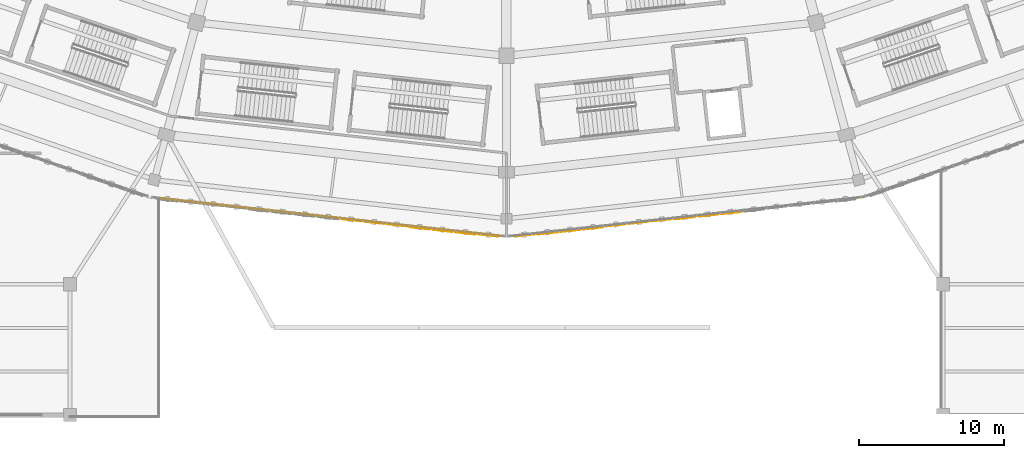
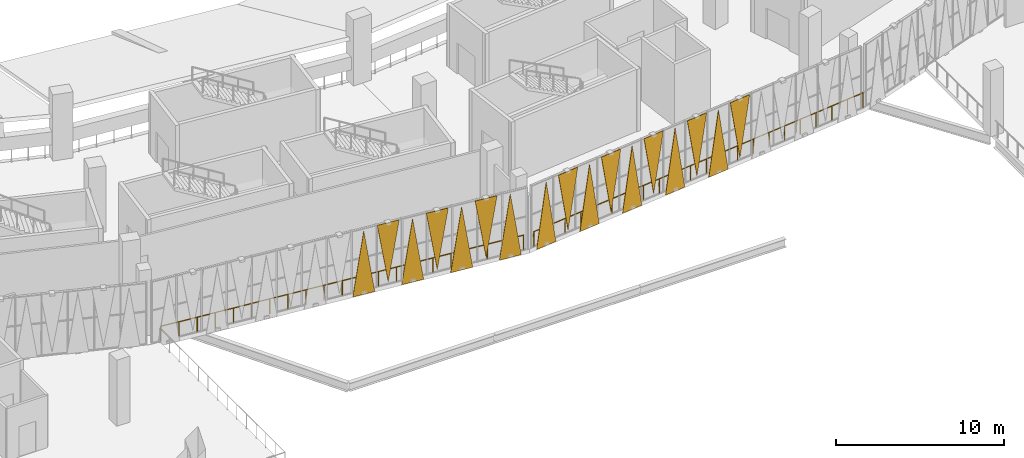
# One storey, part 134 of 183: 17 coverings, 2 railings.
"""IFC4 building model written with IfcOpenShell, lengths in metres."""

from ifc_helpers import new_model, si_unit, direction, frame, origin, origin_2d, place, context, subcontext, project, spatial, polyline, circle, outline, extrude, material, layer, layer_set, type_object, element, save


model = new_model("IFC4")

# Units and contexts
model_context = context("Model", 3, precision=1e-05, world=origin(), true_north=direction((0.0, 1.0)))
body_context = subcontext(model_context, "Body", "Model", "MODEL_VIEW")
ifc_project = project(units=[si_unit("LENGTHUNIT", "METRE"), si_unit("AREAUNIT", "SQUARE_METRE"), si_unit("VOLUMEUNIT", "CUBIC_METRE"), si_unit("PLANEANGLEUNIT", "RADIAN"), si_unit("MASSUNIT", "GRAM", prefix="KILO")], contexts=[model_context])

# Site, building, storey
site_placement = place(None, origin())
site = spatial("IfcSite", under=ifc_project, at=site_placement, CompositionType="ELEMENT")
building_placement = place(site_placement, origin())
building = spatial("IfcBuilding", under=site, at=building_placement, Name="Zevraka Park Crest Stadium", CompositionType="ELEMENT")
storey_placement = place(building_placement, frame((0.0, 0.0, 5.39990234375)))
storey = spatial("IfcBuildingStorey", under=building, at=storey_placement, Name="L01", CompositionType="ELEMENT", Elevation=5.39990234375)

# Coverings
ifc_material_1 = material(Name="Architectural golden-bronze perforated aluminium", Category="aluminium")
ifc_layer = layer(ifc_material_1, 0.034912109375)
ifc_layer_set = layer_set([ifc_layer], Name="Architectural golden-bronze perforated aluminium")
covering_type = type_object("IfcCoveringType", Name="CLD01", PredefinedType="CLADDING", material=ifc_layer_set)
covering_1_placement = place(storey_placement, frame((100.60009765625, 13.462890625, -0.260009765625), z_axis=(-0.110111997218, -0.993919178618, 0.000120187557), x_axis=(0.993919185796, -0.110111998013, 0.0)))
element("IfcCovering", 1, at=covering_1_placement, inside=storey, type_object=covering_type, Name="Triangular Golden-Bronze Perforated Cladding L01-17-9", PredefinedType="CLADDING", context=body_context, shape_type="SweptSolid", body=[
    extrude(outline(polyline([(0.0, 0.0), (1.4256613694050126, 0.0), (0.7122781655700297, 4.600097689474318), (0.0, 0.0)])), origin(), (0.0, 0.0, -1.0), 0.034912109375),
])
covering_2_placement = place(storey_placement, frame((103.593017578125, 13.132080078125, 4.5), z_axis=(-0.110111996702, -0.993919173963, 0.000154308153), x_axis=(-0.993919185796, 0.110111998013, 0.0)))
element("IfcCovering", 2, at=covering_2_placement, inside=storey, type_object=covering_type, Name="Triangular Golden-Bronze Perforated Cladding L01-17-10", PredefinedType="CLADDING", context=body_context, shape_type="SweptSolid", body=[
    extrude(outline(polyline([(0.0, 0.0), (1.4256613694050126, 3.3881317890172014e-21), (0.7132487897749087, 4.279785207202997), (0.0, 0.0)])), origin(), (0.0, 0.0, -1.0), 0.034912109375),
])
covering_3_placement = place(storey_placement, frame((103.751953125, 13.114013671875, -0.260009765625), z_axis=(-0.110111997763, -0.993919183536, 6.7437362e-05), x_axis=(0.993919185796, -0.110111998013, 0.0)))
element("IfcCovering", 3, at=covering_3_placement, inside=storey, type_object=covering_type, Name="Triangular Golden-Bronze Perforated Cladding L01-17-11", PredefinedType="CLADDING", context=body_context, shape_type="SweptSolid", body=[
    extrude(outline(polyline([(0.0, 0.0), (1.4256613694050126, -1.6940658945086007e-21), (0.7123050483820446, 4.600097666710157), (0.0, 0.0)])), origin(), (0.0, 0.0, -1.0), 0.034912109375),
])
covering_4_placement = place(storey_placement, frame((106.7451171875, 12.781982421875, 4.5), z_axis=(0.110093258591, 0.993921253684, 0.000126045065), x_axis=(-0.99392126158, 0.110093259465, 0.0)))
element("IfcCovering", 4, at=covering_4_placement, inside=storey, type_object=covering_type, Name="Triangular Golden-Bronze Perforated Cladding L01-17-12", PredefinedType="CLADDING", context=body_context, shape_type="SweptSolid", body=[
    extrude(outline(polyline([(0.0, 0.0), (1.4259040257096456, -3.3881317890172014e-21), (0.7136258498427653, -4.2797851902472415), (0.0, 0.0)])), origin(), (0.0, 0.0, -1.0), 0.034912109375),
])
covering_5_placement = place(storey_placement, frame((106.904052734375, 12.764892578125, -0.260009765625), z_axis=(0.110111997559, 0.993919181698, 9.0813224e-05), x_axis=(0.993919185796, -0.110111998013, 0.0)))
element("IfcCovering", 5, at=covering_5_placement, inside=storey, type_object=covering_type, Name="Triangular Golden-Bronze Perforated Cladding L01-17-13", PredefinedType="CLADDING", context=body_context, shape_type="SweptSolid", body=[
    extrude(outline(polyline([(0.0, 0.0), (1.4256613694050126, -1.6940658945086007e-21), (0.7123856968180892, -4.600097675218598), (0.0, 0.0)])), origin(), (0.0, 0.0, -1.0), 0.034912109375),
])
covering_6_placement = place(storey_placement, frame((109.89697265625, 12.43310546875, 4.5), z_axis=(0.110111997488, 0.993919181061, 9.760997e-05), x_axis=(-0.993919185796, 0.110111998013, 0.0)))
element("IfcCovering", 6, at=covering_6_placement, inside=storey, type_object=covering_type, Name="Triangular Golden-Bronze Perforated Cladding L01-17-14", PredefinedType="CLADDING", context=body_context, shape_type="SweptSolid", body=[
    extrude(outline(polyline([(0.0, 0.0), (1.4256613694050126, 1.6940658945086007e-21), (0.7123856968180892, -4.279785176638269), (0.0, 0.0)])), origin(), (0.0, 0.0, -1.0), 0.034912109375),
])
covering_7_placement = place(storey_placement, frame((110.055908203125, 12.4150390625, -0.260009765625), z_axis=(-0.110111997559, -0.993919181698, 9.0813224e-05), x_axis=(0.993919185796, -0.110111998013, 0.0)))
element("IfcCovering", 7, at=covering_7_placement, inside=storey, type_object=covering_type, Name="Triangular Golden-Bronze Perforated Cladding L01-17-15", PredefinedType="CLADDING", context=body_context, shape_type="SweptSolid", body=[
    extrude(outline(polyline([(0.0, 0.0), (1.4256613694050126, -1.6940658945086007e-21), (0.7132756725869236, 4.600097675218598), (0.0, 0.0)])), origin(), (0.0, 0.0, -1.0), 0.034912109375),
])
covering_8_placement = place(storey_placement, frame((112.527099609375, 12.258056640625, -0.260009765625), z_axis=(0.110111997559, -0.993919181698, 9.0813224e-05), x_axis=(0.993919185796, 0.110111998013, 0.0)))
element("IfcCovering", 8, at=covering_8_placement, inside=storey, type_object=covering_type, Name="Triangular Golden-Bronze Perforated Cladding L01-18-1", PredefinedType="CLADDING", context=body_context, shape_type="SweptSolid", body=[
    extrude(outline(polyline([(0.0, 0.0), (1.4256613694050126, 1.6940658945086007e-21), (0.7123856968180892, 4.600097675218598), (0.0, 0.0)])), origin(), (0.0, 0.0, -1.0), 0.034912109375),
])
covering_9_placement = place(storey_placement, frame((115.52001953125, 12.590087890625, 4.5), z_axis=(-0.110111997488, 0.993919181061, 9.760997e-05), x_axis=(-0.993919185796, -0.110111998013, 0.0)))
element("IfcCovering", 9, at=covering_9_placement, inside=storey, type_object=covering_type, Name="Triangular Golden-Bronze Perforated Cladding L01-18-2", PredefinedType="CLADDING", context=body_context, shape_type="SweptSolid", body=[
    extrude(outline(polyline([(0.0, 0.0), (1.4256613694050126, -1.6940658945086007e-21), (0.7132756725869236, -4.279785176638269), (0.0, 0.0)])), origin(), (0.0, 0.0, -1.0), 0.034912109375),
])
covering_10_placement = place(storey_placement, frame((115.678955078125, 12.60791015625, -0.260009765625), z_axis=(-0.110111997559, 0.993919181698, 9.0813224e-05), x_axis=(0.993919185796, 0.110111998013, 0.0)))
element("IfcCovering", 10, at=covering_10_placement, inside=storey, type_object=covering_type, Name="Triangular Golden-Bronze Perforated Cladding L01-18-3", PredefinedType="CLADDING", context=body_context, shape_type="SweptSolid", body=[
    extrude(outline(polyline([(0.0, 0.0), (1.4256613694050126, 1.6940658945086007e-21), (0.7132756725869236, -4.600097675218598), (0.0, 0.0)])), origin(), (0.0, 0.0, -1.0), 0.034912109375),
])
covering_11_placement = place(storey_placement, frame((118.672119140625, 12.93896484375, 4.5), z_axis=(-0.110093258591, 0.993921253684, 0.000126045065), x_axis=(-0.99392126158, -0.110093259465, 0.0)))
element("IfcCovering", 11, at=covering_11_placement, inside=storey, type_object=covering_type, Name="Triangular Golden-Bronze Perforated Cladding L01-18-4", PredefinedType="CLADDING", context=body_context, shape_type="SweptSolid", body=[
    extrude(outline(polyline([(0.0, 0.0), (1.4259040257096456, 3.3881317890172014e-21), (0.7122781758668802, -4.2797851902472415), (0.0, 0.0)])), origin(), (0.0, 0.0, -1.0), 0.034912109375),
])
covering_12_placement = place(storey_placement, frame((118.8310546875, 12.95703125, -0.260009765625), z_axis=(0.110111997763, -0.993919183536, 6.7437362e-05), x_axis=(0.993919185796, 0.110111998013, 0.0)))
element("IfcCovering", 12, at=covering_12_placement, inside=storey, type_object=covering_type, Name="Triangular Golden-Bronze Perforated Cladding L01-18-5", PredefinedType="CLADDING", context=body_context, shape_type="SweptSolid", body=[
    extrude(outline(polyline([(0.0, 0.0), (1.4256613694050126, 1.6940658945086007e-21), (0.7133563210229682, 4.600097666710157), (0.0, 0.0)])), origin(), (0.0, 0.0, -1.0), 0.034912109375),
])
covering_13_placement = place(storey_placement, frame((121.823974609375, 13.2890625, 4.5), z_axis=(0.110111996702, -0.993919173963, 0.000154308153), x_axis=(-0.993919185796, -0.110111998013, 0.0)))
element("IfcCovering", 13, at=covering_13_placement, inside=storey, type_object=covering_type, Name="Triangular Golden-Bronze Perforated Cladding L01-18-6", PredefinedType="CLADDING", context=body_context, shape_type="SweptSolid", body=[
    extrude(outline(polyline([(0.0, 0.0), (1.4256613694050126, -3.3881317890172014e-21), (0.712412579630104, 4.279785207202997), (0.0, 0.0)])), origin(), (0.0, 0.0, -1.0), 0.034912109375),
])
covering_14_placement = place(storey_placement, frame((121.98291015625, 13.305908203125, -0.260009765625), z_axis=(0.110111997218, -0.993919178618, 0.000120187557), x_axis=(0.993919185796, 0.110111998013, 0.0)))
element("IfcCovering", 14, at=covering_14_placement, inside=storey, type_object=covering_type, Name="Triangular Golden-Bronze Perforated Cladding L01-18-7", PredefinedType="CLADDING", context=body_context, shape_type="SweptSolid", body=[
    extrude(outline(polyline([(0.0, 0.0), (1.4256613694050126, 0.0), (0.713383203834983, 4.600097689474318), (0.0, 0.0)])), origin(), (0.0, 0.0, -1.0), 0.034912109375),
])
covering_15_placement = place(storey_placement, frame((124.97705078125, 13.637939453125, 4.5), z_axis=(-0.110037080729, 0.993927472592, 0.000141746645), x_axis=(-0.993927482577, -0.110037081835, 0.0)))
element("IfcCovering", 15, at=covering_15_placement, inside=storey, type_object=covering_type, Name="Triangular Golden-Bronze Perforated Cladding L01-18-8", PredefinedType="CLADDING", context=body_context, shape_type="SweptSolid", body=[
    extrude(outline(polyline([(0.0, 0.0), (1.4266319976624326, 0.0), (0.7132488375263855, -4.2797851992449605), (0.0, 0.0)])), origin(), (0.0, 0.0, -1.0), 0.034912109375),
])
covering_16_placement = place(storey_placement, frame((125.135986328125, 13.656005859375, -0.260009765625), z_axis=(-0.110111997218, 0.993919178618, 0.000120187557), x_axis=(0.993919185796, 0.110111998013, 0.0)))
element("IfcCovering", 16, at=covering_16_placement, inside=storey, type_object=covering_type, Name="Triangular Golden-Bronze Perforated Cladding L01-18-9", PredefinedType="CLADDING", context=body_context, shape_type="SweptSolid", body=[
    extrude(outline(polyline([(0.0, 0.0), (1.4256613694050126, 0.0), (0.7122781655700297, -4.600097689474318), (0.0, 0.0)])), origin(), (0.0, 0.0, -1.0), 0.034912109375),
])
covering_17_placement = place(storey_placement, frame((128.12890625, 13.987060546875, 4.5), z_axis=(-0.110111997488, 0.993919181061, 9.760997e-05), x_axis=(-0.993919185796, -0.110111998013, 0.0)))
element("IfcCovering", 17, at=covering_17_placement, inside=storey, type_object=covering_type, Name="Triangular Golden-Bronze Perforated Cladding L01-18-10", PredefinedType="CLADDING", context=body_context, shape_type="SweptSolid", body=[
    extrude(outline(polyline([(0.0, 0.0), (1.4256613694050126, -1.6940658945086007e-21), (0.7132756725869236, -4.279785176638269), (0.0, 0.0)])), origin(), (0.0, 0.0, -1.0), 0.034912109375),
])

# Railings
ifc_material_2 = material(Name="Galvanised and bronze-finished steel balustrade", Category="steel")
railing_type = type_object("IfcRailingType", Name="GR01", PredefinedType="GUARDRAIL", material=ifc_material_2)
railing_1_placement = place(storey_placement, frame((136.52001953125, 14.988037109375, 0.0)))
element("IfcRailing", 18, at=railing_1_placement, inside=storey, type_object=railing_type, Name="Deck Edge Protection Guardrail GR01 L01-33", PredefinedType="GUARDRAIL", context=body_context, shape_type="SweptSolid", body=[
    extrude(circle(Radius=0.02392578125, at=origin_2d()), frame((0.0, 0.0, 1.076171875), z_axis=(-0.993913449894, -0.110163760462, 0.0), x_axis=(0.110163760462, -0.993913449894, 0.0)), (0.0, 0.0, 1.0), 24.31787109375),
    extrude(circle(Radius=0.02099609375, at=origin_2d()), origin(), (0.0, 0.0, 1.0), 1.052001953125),
    extrude(circle(Radius=0.02099609375, at=origin_2d()), frame((-1.15087890625, -0.127685546875, 0.0)), (0.0, 0.0, 1.0), 1.052001953125),
    extrude(circle(Radius=0.02099609375, at=origin_2d()), frame((-2.302001953125, -0.255126953125, 0.0)), (0.0, 0.0, 1.0), 1.052001953125),
    extrude(circle(Radius=0.02099609375, at=origin_2d()), frame((-3.452880859375, -0.3828125, 0.0)), (0.0, 0.0, 1.0), 1.052001953125),
    extrude(circle(Radius=0.02099609375, at=origin_2d()), frame((-4.603759765625, -0.51025390625, 0.0)), (0.0, 0.0, 1.0), 1.052001953125),
    extrude(circle(Radius=0.02099609375, at=origin_2d()), frame((-5.754638671875, -0.637939453125, 0.0)), (0.0, 0.0, 1.0), 1.052001953125),
    extrude(circle(Radius=0.02099609375, at=origin_2d()), frame((-6.90576171875, -0.765380859375, 0.0)), (0.0, 0.0, 1.0), 1.052001953125),
    extrude(circle(Radius=0.02099609375, at=origin_2d()), frame((-8.056640625, -0.89306640625, 0.0)), (0.0, 0.0, 1.0), 1.052001953125),
    extrude(circle(Radius=0.02099609375, at=origin_2d()), frame((-9.20751953125, -1.0205078125, 0.0)), (0.0, 0.0, 1.0), 1.052001953125),
    extrude(circle(Radius=0.02099609375, at=origin_2d()), frame((-10.358642578125, -1.148193359375, 0.0)), (0.0, 0.0, 1.0), 1.052001953125),
    extrude(circle(Radius=0.02099609375, at=origin_2d()), frame((-11.509521484375, -1.275634765625, 0.0)), (0.0, 0.0, 1.0), 1.052001953125),
    extrude(circle(Radius=0.02099609375, at=origin_2d()), frame((-12.660400390625, -1.4033203125, 0.0)), (0.0, 0.0, 1.0), 1.052001953125),
    extrude(circle(Radius=0.02099609375, at=origin_2d()), frame((-13.811279296875, -1.53076171875, 0.0)), (0.0, 0.0, 1.0), 1.052001953125),
    extrude(circle(Radius=0.02099609375, at=origin_2d()), frame((-14.96240234375, -1.658447265625, 0.0)), (0.0, 0.0, 1.0), 1.052001953125),
    extrude(circle(Radius=0.02099609375, at=origin_2d()), frame((-16.11328125, -1.785888671875, 0.0)), (0.0, 0.0, 1.0), 1.052001953125),
    extrude(circle(Radius=0.02099609375, at=origin_2d()), frame((-17.26416015625, -1.91357421875, 0.0)), (0.0, 0.0, 1.0), 1.052001953125),
    extrude(circle(Radius=0.02099609375, at=origin_2d()), frame((-18.415283203125, -2.041015625, 0.0)), (0.0, 0.0, 1.0), 1.052001953125),
    extrude(circle(Radius=0.02099609375, at=origin_2d()), frame((-19.566162109375, -2.168701171875, 0.0)), (0.0, 0.0, 1.0), 1.052001953125),
    extrude(circle(Radius=0.02099609375, at=origin_2d()), frame((-20.717041015625, -2.296142578125, 0.0)), (0.0, 0.0, 1.0), 1.052001953125),
    extrude(circle(Radius=0.02099609375, at=origin_2d()), frame((-21.867919921875, -2.423828125, 0.0)), (0.0, 0.0, 1.0), 1.052001953125),
    extrude(circle(Radius=0.02099609375, at=origin_2d()), frame((-23.01904296875, -2.55126953125, 0.0)), (0.0, 0.0, 1.0), 1.052001953125),
    extrude(circle(Radius=0.02099609375, at=origin_2d()), frame((-24.169921875, -2.678955078125, 0.0)), (0.0, 0.0, 1.0), 1.052001953125),
])
railing_2_placement = place(storey_placement, frame((111.64990234375, 12.30908203125, 0.0)))
element("IfcRailing", 19, at=railing_2_placement, inside=storey, type_object=railing_type, Name="Deck Edge Protection Guardrail GR01 L01-34", PredefinedType="GUARDRAIL", context=body_context, shape_type="SweptSolid", body=[
    extrude(circle(Radius=0.02392578125, at=origin_2d()), frame((0.0, 0.0, 1.076171875), z_axis=(-0.993916695647, 0.110134472869, 0.0), x_axis=(-0.110134472869, -0.993916695647, 0.0)), (0.0, 0.0, 1.0), 23.544189453125),
    extrude(circle(Radius=0.02099609375, at=origin_2d()), origin(), (0.0, 0.0, 1.0), 1.052001953125),
    extrude(circle(Radius=0.02099609375, at=origin_2d()), frame((-1.169921875, 0.129638671875, 0.0)), (0.0, 0.0, 1.0), 1.052001953125),
    extrude(circle(Radius=0.02099609375, at=origin_2d()), frame((-2.340087890625, 0.25927734375, 0.0)), (0.0, 0.0, 1.0), 1.052001953125),
    extrude(circle(Radius=0.02099609375, at=origin_2d()), frame((-3.51025390625, 0.388916015625, 0.0)), (0.0, 0.0, 1.0), 1.052001953125),
    extrude(circle(Radius=0.02099609375, at=origin_2d()), frame((-4.68017578125, 0.5185546875, 0.0)), (0.0, 0.0, 1.0), 1.052001953125),
    extrude(circle(Radius=0.02099609375, at=origin_2d()), frame((-5.85009765625, 0.648193359375, 0.0)), (0.0, 0.0, 1.0), 1.052001953125),
    extrude(circle(Radius=0.02099609375, at=origin_2d()), frame((-7.020263671875, 0.77783203125, 0.0)), (0.0, 0.0, 1.0), 1.052001953125),
    extrude(circle(Radius=0.02099609375, at=origin_2d()), frame((-8.1904296875, 0.907470703125, 0.0)), (0.0, 0.0, 1.0), 1.052001953125),
    extrude(circle(Radius=0.02099609375, at=origin_2d()), frame((-9.3603515625, 1.037109375, 0.0)), (0.0, 0.0, 1.0), 1.052001953125),
    extrude(circle(Radius=0.02099609375, at=origin_2d()), frame((-10.5302734375, 1.166748046875, 0.0)), (0.0, 0.0, 1.0), 1.052001953125),
    extrude(circle(Radius=0.02099609375, at=origin_2d()), frame((-11.700439453125, 1.29638671875, 0.0)), (0.0, 0.0, 1.0), 1.052001953125),
    extrude(circle(Radius=0.02099609375, at=origin_2d()), frame((-12.87060546875, 1.42626953125, 0.0)), (0.0, 0.0, 1.0), 1.052001953125),
    extrude(circle(Radius=0.02099609375, at=origin_2d()), frame((-14.04052734375, 1.555908203125, 0.0)), (0.0, 0.0, 1.0), 1.052001953125),
    extrude(circle(Radius=0.02099609375, at=origin_2d()), frame((-15.21044921875, 1.685546875, 0.0)), (0.0, 0.0, 1.0), 1.052001953125),
    extrude(circle(Radius=0.02099609375, at=origin_2d()), frame((-16.380615234375, 1.815185546875, 0.0)), (0.0, 0.0, 1.0), 1.052001953125),
    extrude(circle(Radius=0.02099609375, at=origin_2d()), frame((-17.55078125, 1.94482421875, 0.0)), (0.0, 0.0, 1.0), 1.052001953125),
    extrude(circle(Radius=0.02099609375, at=origin_2d()), frame((-18.720703125, 2.074462890625, 0.0)), (0.0, 0.0, 1.0), 1.052001953125),
    extrude(circle(Radius=0.02099609375, at=origin_2d()), frame((-19.890625, 2.2041015625, 0.0)), (0.0, 0.0, 1.0), 1.052001953125),
    extrude(circle(Radius=0.02099609375, at=origin_2d()), frame((-21.060791015625, 2.333740234375, 0.0)), (0.0, 0.0, 1.0), 1.052001953125),
    extrude(circle(Radius=0.02099609375, at=origin_2d()), frame((-22.23095703125, 2.46337890625, 0.0)), (0.0, 0.0, 1.0), 1.052001953125),
    extrude(circle(Radius=0.02099609375, at=origin_2d()), frame((-23.40087890625, 2.593017578125, 0.0)), (0.0, 0.0, 1.0), 1.052001953125),
])

save(model, "model.ifc")
